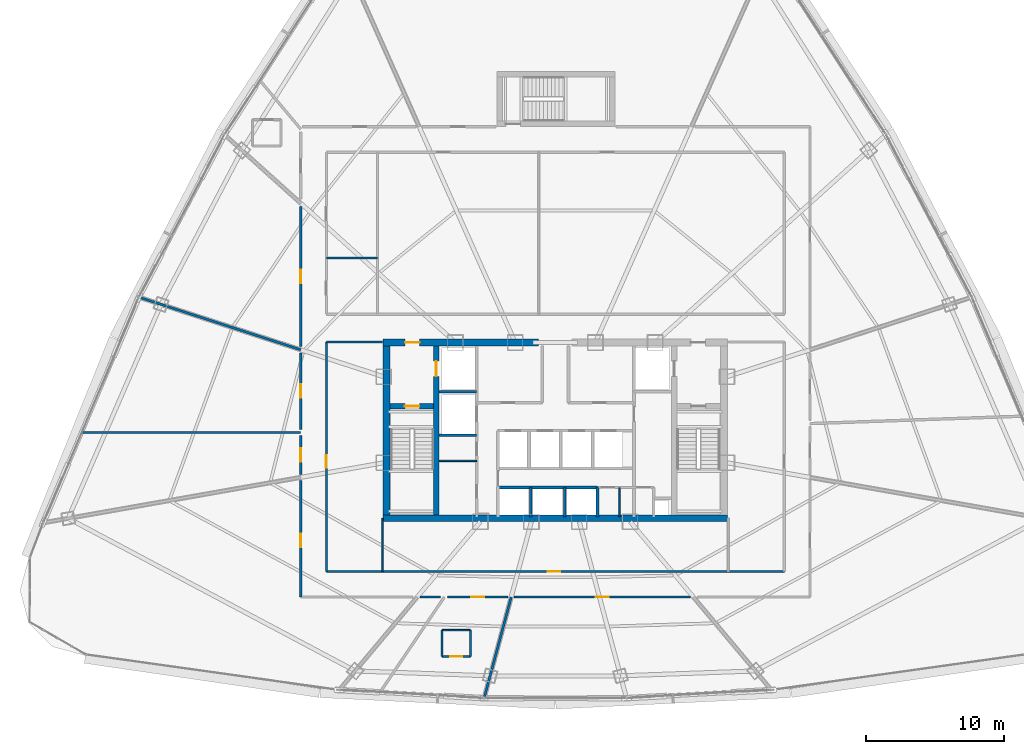
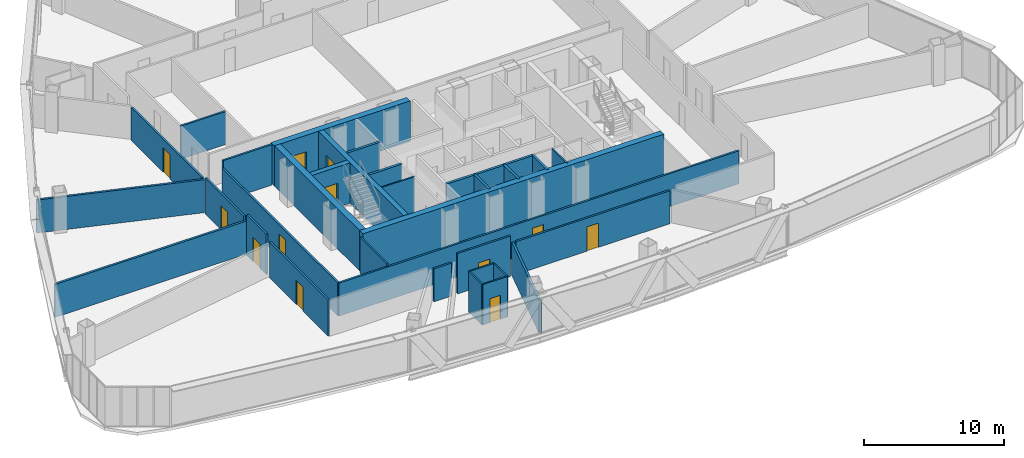
# One storey, part 31 of 38: 32 walls, 12 doors, 12 openings.
"""IFC4 building model written with IfcOpenShell, lengths in metres."""

from ifc_helpers import new_model, si_unit, direction, frame, frame_2d, origin, origin_with_axes, place, context, subcontext, project, spatial, rectangle, extrude, source, transform, mapped, material, layer, layer_set, type_object, element, fill, save


model = new_model("IFC4")

# Units and contexts
model_context = context("Model", 3, precision=1e-05, world=origin(), true_north=direction((0.0, 1.0)))
body_context = subcontext(model_context, "Body", "Model", "MODEL_VIEW")
ifc_project = project(units=[si_unit("LENGTHUNIT", "METRE"), si_unit("AREAUNIT", "SQUARE_METRE"), si_unit("VOLUMEUNIT", "CUBIC_METRE"), si_unit("PLANEANGLEUNIT", "RADIAN"), si_unit("MASSUNIT", "GRAM", prefix="KILO"), si_unit("THERMODYNAMICTEMPERATUREUNIT", "KELVIN"), si_unit("POWERUNIT", "WATT")], contexts=[model_context])

# Site, building, storey
site_placement = place(None, origin())
site = spatial("IfcSite", under=ifc_project, at=site_placement, CompositionType="ELEMENT")
building_placement = place(site_placement, origin())
building = spatial("IfcBuilding", under=site, at=building_placement, Name="Yunzhuo Pagoda Commons", CompositionType="ELEMENT")
storey_placement = place(building_placement, frame((0.0, 0.0, 203.760009765625)))
storey = spatial("IfcBuildingStorey", under=building, at=storey_placement, Name="L51", CompositionType="ELEMENT", Elevation=203.760009765625)

# Wall
ifc_material_1 = material(Name="Concrete C50", Category="concrete")
ifc_layer_1 = layer(ifc_material_1, 0.5)
ifc_layer_set_1 = layer_set([ifc_layer_1], Name="Concrete C50")
wall_type_1 = type_object("IfcWallType", Name="W-C03 Upper Core Shear Wall 500", PredefinedType="SHEAR", material=ifc_layer_set_1)
wall_1_placement = place(storey_placement, frame((35.550048828125, 27.5, 0.0), z_axis=(0.0, 0.0, 1.0), x_axis=(1.0, 0.0, 0.0)))
element("IfcWall", 1, at=wall_1_placement, inside=storey, type_object=wall_type_1, Name="L51 core shear wall S", PredefinedType="SHEAR", context=body_context, shape_type="SweptSolid", body=[
    extrude(rectangle(XDim=24.89990234375, YDim=0.5, at=frame_2d((12.449951171875, 0.0))), origin(), (0.0, 0.0, 1.0), 3.5400390625),
])

# Wall, opening, door
wall_2_placement = place(storey_placement, frame((35.550048828125, 40.199951171875, 0.0), z_axis=(0.0, 0.0, 1.0), x_axis=(1.0, 0.0, 0.0)))
wall_2 = element("IfcWall", 2, at=wall_2_placement, inside=storey, type_object=wall_type_1, Name="L51 core shear wall NW", PredefinedType="SHEAR", context=body_context, shape_type="SweptSolid", body=[
    extrude(rectangle(XDim=11.25, YDim=0.5, at=frame_2d((5.625, 0.0))), origin(), (0.0, 0.0, 1.0), 3.5400390625),
])
opening_1_placement = place(wall_2_placement, frame((1.60009765625, 0.0, 0.0)))
opening_1 = element("IfcOpeningElement", 3, at=opening_1_placement, cuts=wall_2, Name="Opening D-02", PredefinedType="OPENING", context=body_context, shape_type="SweptSolid", body=[
    extrude(rectangle(XDim=1.050048828125, YDim=2.10009765625, at=frame_2d((0.52490234375, 1.050048828125))), frame((0.0, 0.260009765625, 0.0), z_axis=(0.0, -1.0, 0.0), x_axis=(1.0, 0.0, 0.0)), (0.0, 0.0, 1.0), 0.52001953125),
])
ifc_material_2 = material(Name="Galvanized fire-resisting metal leaf")
door_type_1 = type_object("IfcDoorType", Name="D-02 Firefighting Lobby & Refuge Fire Door 1050x2100", OperationType="NOTDEFINED", PredefinedType="DOOR", material=ifc_material_2)
shared_shape_1 = source(origin(), body_context, "Body", "SweptSolid", [
    extrude(rectangle(XDim=1.050048828125, YDim=2.10009765625, at=frame_2d((0.52490234375, 1.050048828125))), frame((0.0, 0.02490234375, 0.0), z_axis=(0.0, -1.0, 0.0), x_axis=(1.0, 0.0, 0.0)), (0.0, 0.0, 1.0), 0.050048828125),
])
door_1_placement = place(opening_1_placement, frame((1.050048828125, 0.0, 0.0), z_axis=(0.0, 0.0, 1.0), x_axis=(-1.0, 0.0, 0.0)))
door_1 = element("IfcDoor", 4, at=door_1_placement, inside=storey, type_object=door_type_1, Name="L51 Firefighting Lobby 1 fire door", OperationType="SINGLE_SWING_LEFT", OverallHeight=2.10009765625, OverallWidth=1.050048828125, PredefinedType="DOOR", context=body_context, shape_type="MappedRepresentation", body=[
    mapped(shared_shape_1, transform((0.0, 0.0, 0.0), scale=1.0)),
])
fill(opening_1, door_1)

# Walls
wall_3_placement = place(storey_placement, frame((35.800048828125, 27.75, 0.0), z_axis=(0.0, 0.0, 1.0), x_axis=(0.0, 1.0, 0.0)))
element("IfcWall", 5, at=wall_3_placement, inside=storey, type_object=wall_type_1, Name="L51 core shear wall W", PredefinedType="SHEAR", context=body_context, shape_type="SweptSolid", body=[
    extrude(rectangle(XDim=12.199951171875, YDim=0.5, at=frame_2d((6.10009765625, 0.0))), origin(), (0.0, 0.0, 1.0), 3.5400390625),
])
ifc_material_3 = material(Name="Gypsum plasterboard on acoustic stud")
ifc_layer_2 = layer(ifc_material_3, 0.155029296875)
ifc_layer_set_2 = layer_set([ifc_layer_2], Name="Gypsum plasterboard on acoustic stud")
wall_type_2 = type_object("IfcWallType", Name="W-COR2 Mid-Zone Rated Corridor Wall 155", PredefinedType="PARTITIONING", material=ifc_layer_set_2)
wall_4_placement = place(storey_placement, frame((31.449951171875, 46.300048828125, 0.0), z_axis=(0.0, 0.0, 1.0), x_axis=(1.0, 0.0, 0.0)))
element("IfcWall", 6, at=wall_4_placement, inside=storey, type_object=wall_type_2, Name="L51 interior wall IW-L51-MCWCN", PredefinedType="PARTITIONING", context=body_context, shape_type="SweptSolid", body=[
    extrude(rectangle(XDim=3.699951171875, YDim=0.155029296875, at=frame_2d((1.85009765625, 0.0))), origin(), (0.0, 0.0, 1.0), 2.889892578125),
])

# Wall, opening, door
wall_5_placement = place(storey_placement, frame((31.449951171875, 23.64990234375, 0.0), z_axis=(0.0, 0.0, 1.0), x_axis=(0.0, 1.0, 0.0)))
wall_5 = element("IfcWall", 7, at=wall_5_placement, inside=storey, type_object=wall_type_2, Name="L51 interior wall IW-L51-SFLW", PredefinedType="PARTITIONING", context=body_context, shape_type="SweptSolid", body=[
    extrude(rectangle(XDim=16.60009765625, YDim=0.155029296875, at=frame_2d((8.300048828125, 0.0))), origin(), (0.0, 0.0, 1.0), 2.889892578125),
])
opening_2_placement = place(wall_5_placement, frame((7.5, 0.0, 0.0)))
opening_2 = element("IfcOpeningElement", 8, at=opening_2_placement, cuts=wall_5, Name="Opening D-12", PredefinedType="OPENING", context=body_context, shape_type="SweptSolid", body=[
    extrude(rectangle(XDim=0.89990234375, YDim=2.080078125, at=frame_2d((0.449951171875, 1.0400390625))), frame((0.0, 0.08740234375, 0.0), z_axis=(0.0, -1.0, 0.0), x_axis=(1.0, 0.0, 0.0)), (0.0, 0.0, 1.0), 0.175048828125),
])
ifc_material_4 = material(Name="Powder-coated aluminium and timber acoustic leaf", Category="wood")
door_type_2 = type_object("IfcDoorType", Name="D-12 Quiet Study Interior Door 900x2080", OperationType="NOTDEFINED", PredefinedType="DOOR", material=ifc_material_4)
shared_shape_2 = source(origin(), body_context, "Body", "SweptSolid", [
    extrude(rectangle(XDim=0.89990234375, YDim=2.080078125, at=frame_2d((0.449951171875, 1.0400390625))), frame((0.0, 0.02490234375, 0.0), z_axis=(0.0, -1.0, 0.0), x_axis=(1.0, 0.0, 0.0)), (0.0, 0.0, 1.0), 0.050048828125),
])
door_2_placement = place(opening_2_placement, origin_with_axes())
door_2 = element("IfcDoor", 9, at=door_2_placement, inside=storey, type_object=door_type_2, Name="L51 west study workroom door", OperationType="SINGLE_SWING_LEFT", OverallHeight=2.080078125, OverallWidth=0.89990234375, PredefinedType="DOOR", context=body_context, shape_type="MappedRepresentation", body=[
    mapped(shared_shape_2, transform((0.0, 0.0, 0.0), scale=1.0)),
])
fill(opening_2, door_2)

wall_6_placement = place(storey_placement, frame((31.449951171875, 23.64990234375, 0.0), z_axis=(0.0, 0.0, 1.0), x_axis=(1.0, 0.0, 0.0)))
wall_6 = element("IfcWall", 10, at=wall_6_placement, inside=storey, type_object=wall_type_2, Name="L51 interior wall IW-L51-SFLS", PredefinedType="PARTITIONING", context=body_context, shape_type="SweptSolid", body=[
    extrude(rectangle(XDim=33.10009765625, YDim=0.155029296875, at=frame_2d((16.550048828125, 0.0))), origin(), (0.0, 0.0, 1.0), 2.889892578125),
])
opening_3_placement = place(wall_6_placement, frame((16.0, 0.0, 0.0)))
opening_3 = element("IfcOpeningElement", 11, at=opening_3_placement, cuts=wall_6, Name="Opening D-04", PredefinedType="OPENING", context=body_context, shape_type="SweptSolid", body=[
    extrude(rectangle(XDim=0.919921875, YDim=2.10009765625, at=frame_2d((0.4599609375, 1.050048828125))), frame((0.0, 0.08740234375, 0.0), z_axis=(0.0, -1.0, 0.0), x_axis=(1.0, 0.0, 0.0)), (0.0, 0.0, 1.0), 0.175048828125),
])
door_type_3 = type_object("IfcDoorType", Name="D-04 Bedroom & Study Interior Door 920x2100", OperationType="NOTDEFINED", PredefinedType="DOOR", material=ifc_material_4)
shared_shape_3 = source(origin(), body_context, "Body", "SweptSolid", [
    extrude(rectangle(XDim=0.919921875, YDim=2.10009765625, at=frame_2d((0.4599609375, 1.050048828125))), frame((0.0, 0.02490234375, 0.0), z_axis=(0.0, -1.0, 0.0), x_axis=(1.0, 0.0, 0.0)), (0.0, 0.0, 1.0), 0.050048828125),
])
door_3_placement = place(opening_3_placement, frame((0.919921875, 0.0, 0.0), z_axis=(0.0, 0.0, 1.0), x_axis=(-1.0, 0.0, 0.0)))
door_3 = element("IfcDoor", 12, at=door_3_placement, inside=storey, type_object=door_type_3, Name="L51 south seminar room door", OperationType="SINGLE_SWING_RIGHT", OverallHeight=2.10009765625, OverallWidth=0.919921875, PredefinedType="DOOR", context=body_context, shape_type="MappedRepresentation", body=[
    mapped(shared_shape_3, transform((0.0, 0.0, 0.0), scale=1.0)),
])
fill(opening_3, door_3)

# Wall
wall_7_placement = place(storey_placement, frame((31.449951171875, 40.25, 0.0), z_axis=(0.0, 0.0, 1.0), x_axis=(1.0, 0.0, 0.0)))
element("IfcWall", 13, at=wall_7_placement, inside=storey, type_object=wall_type_2, Name="L51 interior wall IW-L51-SFLNW", PredefinedType="PARTITIONING", context=body_context, shape_type="SweptSolid", body=[
    extrude(rectangle(XDim=4.050048828125, YDim=0.155029296875, at=frame_2d((2.02490234375, 0.0))), origin(), (0.0, 0.0, 1.0), 3.5400390625),
])

# Wall, opening, door
wall_8_placement = place(storey_placement, frame((29.60009765625, 21.800048828125, 0.0), z_axis=(0.0, 0.0, 1.0), x_axis=(0.0, 1.0, 0.0)))
wall_8 = element("IfcWall", 14, at=wall_8_placement, inside=storey, type_object=wall_type_2, Name="L51 interior wall IW-L51-CWL01", PredefinedType="PARTITIONING", context=body_context, shape_type="SweptSolid", body=[
    extrude(rectangle(XDim=8.43212890625, YDim=0.155029296875, at=frame_2d((4.216064453125, 0.0))), origin(), (0.0, 0.0, 1.0), 3.139892578125),
])
opening_4_placement = place(wall_8_placement, frame((3.622802734375, 0.0, 0.0)))
opening_4 = element("IfcOpeningElement", 15, at=opening_4_placement, cuts=wall_8, Name="Opening D-07", PredefinedType="OPENING", context=body_context, shape_type="SweptSolid", body=[
    extrude(rectangle(XDim=0.9599609375, YDim=2.1201171875, at=frame_2d((0.47998046875, 1.06005859375))), frame((0.0, 0.08740234375, 0.0), z_axis=(0.0, -1.0, 0.0), x_axis=(1.0, 0.0, 0.0)), (0.0, 0.0, 1.0), 0.175048828125),
])
door_type_4 = type_object("IfcDoorType", Name="D-07 Mid-Zone Suite Entrance Fire Door 960x2120", OperationType="NOTDEFINED", PredefinedType="DOOR", material=ifc_material_2)
shared_shape_4 = source(origin(), body_context, "Body", "SweptSolid", [
    extrude(rectangle(XDim=0.9599609375, YDim=2.1201171875, at=frame_2d((0.47998046875, 1.06005859375))), frame((0.0, 0.02490234375, 0.0), z_axis=(0.0, -1.0, 0.0), x_axis=(1.0, 0.0, 0.0)), (0.0, 0.0, 1.0), 0.050048828125),
])
door_4_placement = place(opening_4_placement, origin_with_axes())
door_4 = element("IfcDoor", 16, at=door_4_placement, inside=storey, type_object=door_type_4, Name="L51 unit 09 entrance door", OperationType="SINGLE_SWING_LEFT", OverallHeight=2.1201171875, OverallWidth=0.9599609375, PredefinedType="DOOR", context=body_context, shape_type="MappedRepresentation", body=[
    mapped(shared_shape_4, transform((0.0, 0.0, 0.0), scale=1.0)),
])
fill(opening_4, door_4)

wall_9_placement = place(storey_placement, frame((29.60009765625, 30.67529296875, 0.0), z_axis=(0.0, 0.0, 1.0), x_axis=(0.0, 1.0, 0.0)))
wall_9 = element("IfcWall", 17, at=wall_9_placement, inside=storey, type_object=wall_type_2, Name="L51 interior wall IW-L51-CWL02", PredefinedType="PARTITIONING", context=body_context, shape_type="SweptSolid", body=[
    extrude(rectangle(XDim=2.8046875, YDim=0.155029296875, at=frame_2d((1.40234375, 0.0))), origin(), (0.0, 0.0, 1.0), 3.5400390625),
])
opening_5_placement = place(wall_9_placement, frame((0.927490234375, 0.0, 0.0)))
opening_5 = element("IfcOpeningElement", 18, at=opening_5_placement, cuts=wall_9, Name="Opening D-07", PredefinedType="OPENING", context=body_context, shape_type="SweptSolid", body=[
    extrude(rectangle(XDim=0.9599609375, YDim=2.1201171875, at=frame_2d((0.47998046875, 1.06005859375))), frame((0.0, 0.08740234375, 0.0), z_axis=(0.0, -1.0, 0.0), x_axis=(1.0, 0.0, 0.0)), (0.0, 0.0, 1.0), 0.175048828125),
])
door_5_placement = place(opening_5_placement, origin_with_axes())
door_5 = element("IfcDoor", 19, at=door_5_placement, inside=storey, type_object=door_type_4, Name="L51 unit 08 entrance door", OperationType="SINGLE_SWING_RIGHT", OverallHeight=2.1201171875, OverallWidth=0.9599609375, PredefinedType="DOOR", context=body_context, shape_type="MappedRepresentation", body=[
    mapped(shared_shape_4, transform((0.0, 0.0, 0.0), scale=1.0)),
])
fill(opening_5, door_5)

wall_10_placement = place(storey_placement, frame((29.60009765625, 33.919921875, 0.0), z_axis=(0.0, 0.0, 1.0), x_axis=(0.0, 1.0, 0.0)))
wall_10 = element("IfcWall", 20, at=wall_10_placement, inside=storey, type_object=wall_type_2, Name="L51 interior wall IW-L51-CWL03", PredefinedType="PARTITIONING", context=body_context, shape_type="SweptSolid", body=[
    extrude(rectangle(XDim=5.538818359375, YDim=0.155029296875, at=frame_2d((2.76953125, 0.0))), origin(), (0.0, 0.0, 1.0), 3.139892578125),
])
opening_6_placement = place(wall_10_placement, frame((2.294189453125, 0.0, 0.0)))
opening_6 = element("IfcOpeningElement", 21, at=opening_6_placement, cuts=wall_10, Name="Opening D-07", PredefinedType="OPENING", context=body_context, shape_type="SweptSolid", body=[
    extrude(rectangle(XDim=0.9599609375, YDim=2.1201171875, at=frame_2d((0.47998046875, 1.06005859375))), frame((0.0, 0.08740234375, 0.0), z_axis=(0.0, -1.0, 0.0), x_axis=(1.0, 0.0, 0.0)), (0.0, 0.0, 1.0), 0.175048828125),
])
door_6_placement = place(opening_6_placement, origin_with_axes())
door_6 = element("IfcDoor", 22, at=door_6_placement, inside=storey, type_object=door_type_4, Name="L51 unit 07 entrance door", OperationType="SINGLE_SWING_LEFT", OverallHeight=2.1201171875, OverallWidth=0.9599609375, PredefinedType="DOOR", context=body_context, shape_type="MappedRepresentation", body=[
    mapped(shared_shape_4, transform((0.0, 0.0, 0.0), scale=1.0)),
])
fill(opening_6, door_6)

wall_11_placement = place(storey_placement, frame((29.60009765625, 39.909912109375, 0.0), z_axis=(0.0, 0.0, 1.0), x_axis=(0.0, 1.0, 0.0)))
wall_11 = element("IfcWall", 23, at=wall_11_placement, inside=storey, type_object=wall_type_2, Name="L51 interior wall IW-L51-CWL04", PredefinedType="PARTITIONING", context=body_context, shape_type="SweptSolid", body=[
    extrude(rectangle(XDim=10.1376953125, YDim=0.155029296875, at=frame_2d((5.06884765625, 0.0))), origin(), (0.0, 0.0, 1.0), 2.889892578125),
])
opening_7_placement = place(wall_11_placement, frame((4.588134765625, 0.0, 0.0)))
opening_7 = element("IfcOpeningElement", 24, at=opening_7_placement, cuts=wall_11, Name="Opening D-07", PredefinedType="OPENING", context=body_context, shape_type="SweptSolid", body=[
    extrude(rectangle(XDim=0.9599609375, YDim=2.1201171875, at=frame_2d((0.47998046875, 1.06005859375))), frame((0.0, 0.08740234375, 0.0), z_axis=(0.0, -1.0, 0.0), x_axis=(1.0, 0.0, 0.0)), (0.0, 0.0, 1.0), 0.175048828125),
])
door_7_placement = place(opening_7_placement, origin_with_axes())
door_7 = element("IfcDoor", 25, at=door_7_placement, inside=storey, type_object=door_type_4, Name="L51 unit 06 entrance door", OperationType="SINGLE_SWING_RIGHT", OverallHeight=2.1201171875, OverallWidth=0.9599609375, PredefinedType="DOOR", context=body_context, shape_type="MappedRepresentation", body=[
    mapped(shared_shape_4, transform((0.0, 0.0, 0.0), scale=1.0)),
])
fill(opening_7, door_7)

wall_12_placement = place(storey_placement, frame((57.765380859375, 21.800048828125, 0.0), z_axis=(0.0, 0.0, 1.0), x_axis=(-1.0, 0.0, 0.0)))
wall_12 = element("IfcWall", 26, at=wall_12_placement, inside=storey, type_object=wall_type_2, Name="L51 interior wall IW-L51-CWL15", PredefinedType="PARTITIONING", context=body_context, shape_type="SweptSolid", body=[
    extrude(rectangle(XDim=12.734130859375, YDim=0.155029296875, at=frame_2d((6.3671875, 0.0))), origin(), (0.0, 0.0, 1.0), 2.889892578125),
])
opening_8_placement = place(wall_12_placement, frame((5.89208984375, 0.0, 0.0)))
opening_8 = element("IfcOpeningElement", 27, at=opening_8_placement, cuts=wall_12, Name="Opening D-07", PredefinedType="OPENING", context=body_context, shape_type="SweptSolid", body=[
    extrude(rectangle(XDim=0.9599609375, YDim=2.1201171875, at=frame_2d((0.47998046875, 1.06005859375))), frame((0.0, 0.08740234375, 0.0), z_axis=(0.0, -1.0, 0.0), x_axis=(1.0, 0.0, 0.0)), (0.0, 0.0, 1.0), 0.175048828125),
])
door_8_placement = place(opening_8_placement, origin_with_axes())
door_8 = element("IfcDoor", 28, at=door_8_placement, inside=storey, type_object=door_type_4, Name="L51 Resident Co-Living Commons Hall door", OperationType="SINGLE_SWING_RIGHT", OverallHeight=2.1201171875, OverallWidth=0.9599609375, PredefinedType="DOOR", context=body_context, shape_type="MappedRepresentation", body=[
    mapped(shared_shape_4, transform((0.0, 0.0, 0.0), scale=1.0)),
])
fill(opening_8, door_8)

wall_13_placement = place(storey_placement, frame((44.58349609375, 21.800048828125, 0.0), z_axis=(0.0, 0.0, 1.0), x_axis=(-1.0, 0.0, 0.0)))
wall_13 = element("IfcWall", 29, at=wall_13_placement, inside=storey, type_object=wall_type_2, Name="L51 interior wall IW-L51-CWL16", PredefinedType="PARTITIONING", context=body_context, shape_type="SweptSolid", body=[
    extrude(rectangle(XDim=4.39013671875, YDim=0.155029296875, at=frame_2d((2.195068359375, 0.0))), origin(), (0.0, 0.0, 1.0), 3.5400390625),
])
opening_9_placement = place(wall_13_placement, frame((1.71630859375, 0.0, 0.0)))
opening_9 = element("IfcOpeningElement", 30, at=opening_9_placement, cuts=wall_13, Name="Opening D-07", PredefinedType="OPENING", context=body_context, shape_type="SweptSolid", body=[
    extrude(rectangle(XDim=0.9599609375, YDim=2.1201171875, at=frame_2d((0.47998046875, 1.06005859375))), frame((0.0, 0.08740234375, 0.0), z_axis=(0.0, -1.0, 0.0), x_axis=(1.0, 0.0, 0.0)), (0.0, 0.0, 1.0), 0.175048828125),
])
door_9_placement = place(opening_9_placement, origin_with_axes())
door_9 = element("IfcDoor", 31, at=door_9_placement, inside=storey, type_object=door_type_4, Name="L51 unit 11 entrance door", OperationType="SINGLE_SWING_LEFT", OverallHeight=2.1201171875, OverallWidth=0.9599609375, PredefinedType="DOOR", context=body_context, shape_type="MappedRepresentation", body=[
    mapped(shared_shape_4, transform((0.0, 0.0, 0.0), scale=1.0)),
])
fill(opening_9, door_9)

# Walls
wall_14_placement = place(storey_placement, frame((39.7080078125, 21.800048828125, 0.0), z_axis=(0.0, 0.0, 1.0), x_axis=(-1.0, 0.0, 0.0)))
element("IfcWall", 32, at=wall_14_placement, inside=storey, type_object=wall_type_2, Name="L51 interior wall IW-L51-CWL17", PredefinedType="PARTITIONING", context=body_context, shape_type="SweptSolid", body=[
    extrude(rectangle(XDim=1.473388671875, YDim=0.155029296875, at=frame_2d((0.73681640625, 0.0))), origin(), (0.0, 0.0, 1.0), 2.889892578125),
])
ifc_layer_3 = layer(ifc_material_3, 0.1201171875)
ifc_layer_set_3 = layer_set([ifc_layer_3], Name="Gypsum plasterboard on acoustic stud")
wall_type_3 = type_object("IfcWallType", Name="W-PRT1 Suite & Bathroom Partition 120", PredefinedType="PARTITIONING", material=ifc_layer_set_3)
wall_15_placement = place(storey_placement, frame((39.60009765625, 31.64990234375, 0.0), z_axis=(0.0, 0.0, 1.0), x_axis=(1.0, 0.0, 0.0)))
element("IfcWall", 33, at=wall_15_placement, inside=storey, type_object=wall_type_3, Name="L51 interior wall IW-L51-CD1", PredefinedType="PARTITIONING", context=body_context, shape_type="SweptSolid", body=[
    extrude(rectangle(XDim=2.719970703125, YDim=0.1201171875, at=frame_2d((1.35986328125, 0.0))), origin(), (0.0, 0.0, 1.0), 3.5400390625),
])
wall_16_placement = place(storey_placement, frame((52.64990234375, 27.60009765625, 0.0), z_axis=(0.0, 0.0, 1.0), x_axis=(0.0, 1.0, 0.0)))
element("IfcWall", 34, at=wall_16_placement, inside=storey, type_object=wall_type_3, Name="L51 interior wall IW-L51-CD2", PredefinedType="PARTITIONING", context=body_context, shape_type="SweptSolid", body=[
    extrude(rectangle(XDim=2.119873046875, YDim=0.1201171875, at=frame_2d((1.06005859375, 0.0))), origin(), (0.0, 0.0, 1.0), 3.5400390625),
])
wall_17_placement = place(storey_placement, frame((35.5, 23.64990234375, 0.0), z_axis=(0.0, 0.0, 1.0), x_axis=(0.0, 1.0, 0.0)))
element("IfcWall", 35, at=wall_17_placement, inside=storey, type_object=wall_type_3, Name="L51 interior wall IW-L51-SFLD1", PredefinedType="PARTITIONING", context=body_context, shape_type="SweptSolid", body=[
    extrude(rectangle(XDim=3.85009765625, YDim=0.1201171875, at=frame_2d((1.925048828125, 0.0))), origin(), (0.0, 0.0, 1.0), 3.139892578125),
])

# Wall, opening, door
wall_18_placement = place(storey_placement, frame((39.81494140625, 17.512939453125, 0.0), z_axis=(0.0, 0.0, 1.0), x_axis=(1.0, 0.0, 0.0)))
wall_18 = element("IfcWall", 36, at=wall_18_placement, inside=storey, type_object=wall_type_3, Name="L51 interior wall IW-L51-B11S", PredefinedType="PARTITIONING", context=body_context, shape_type="SweptSolid", body=[
    extrude(rectangle(XDim=2.050048828125, YDim=0.1201171875, at=frame_2d((1.02490234375, 0.0))), origin(), (0.0, 0.0, 1.0), 3.5400390625),
])
opening_10_placement = place(wall_18_placement, frame((0.60009765625, 0.0, 0.0)))
opening_10 = element("IfcOpeningElement", 37, at=opening_10_placement, cuts=wall_18, Name="Opening D-05", PredefinedType="OPENING", context=body_context, shape_type="SweptSolid", body=[
    extrude(rectangle(XDim=0.85009765625, YDim=2.10009765625, at=frame_2d((0.425048828125, 1.050048828125))), frame((0.0, 0.070068359375, 0.0), z_axis=(0.0, -1.0, 0.0), x_axis=(1.0, 0.0, 0.0)), (0.0, 0.0, 1.0), 0.14013671875),
])
door_type_5 = type_object("IfcDoorType", Name="D-05 En-Suite Bathroom Door 850x2100", OperationType="NOTDEFINED", PredefinedType="DOOR", material=ifc_material_4)
shared_shape_5 = source(origin(), body_context, "Body", "SweptSolid", [
    extrude(rectangle(XDim=0.85009765625, YDim=2.10009765625, at=frame_2d((0.425048828125, 1.050048828125))), frame((0.0, 0.02490234375, 0.0), z_axis=(0.0, -1.0, 0.0), x_axis=(1.0, 0.0, 0.0)), (0.0, 0.0, 1.0), 0.050048828125),
])
door_10_placement = place(opening_10_placement, frame((0.85009765625, 0.0, 0.0), z_axis=(0.0, 0.0, 1.0), x_axis=(-1.0, 0.0, 0.0)))
door_10 = element("IfcDoor", 38, at=door_10_placement, inside=storey, type_object=door_type_5, Name="L51 unit 11 bathroom door", OperationType="SINGLE_SWING_LEFT", OverallHeight=2.10009765625, OverallWidth=0.85009765625, PredefinedType="DOOR", context=body_context, shape_type="MappedRepresentation", body=[
    mapped(shared_shape_5, transform((0.0, 0.0, 0.0), scale=1.0)),
])
fill(opening_10, door_10)

# Walls
wall_19_placement = place(storey_placement, frame((41.864990234375, 17.512939453125, 0.0), z_axis=(0.0, 0.0, 1.0), x_axis=(0.0, 1.0, 0.0)))
element("IfcWall", 39, at=wall_19_placement, inside=storey, type_object=wall_type_3, Name="L51 interior wall IW-L51-B11E", PredefinedType="PARTITIONING", context=body_context, shape_type="SweptSolid", body=[
    extrude(rectangle(XDim=1.900146484375, YDim=0.1201171875, at=frame_2d((0.9501953125, 0.0))), origin(), (0.0, 0.0, 1.0), 3.5400390625),
])
wall_20_placement = place(storey_placement, frame((41.864990234375, 19.4130859375, 0.0), z_axis=(0.0, 0.0, 1.0), x_axis=(-1.0, 0.0, 0.0)))
element("IfcWall", 40, at=wall_20_placement, inside=storey, type_object=wall_type_3, Name="L51 interior wall IW-L51-B11N", PredefinedType="PARTITIONING", context=body_context, shape_type="SweptSolid", body=[
    extrude(rectangle(XDim=2.050048828125, YDim=0.1201171875, at=frame_2d((1.02490234375, 0.0))), origin(), (0.0, 0.0, 1.0), 3.5400390625),
])
wall_21_placement = place(storey_placement, frame((39.81494140625, 19.4130859375, 0.0), z_axis=(0.0, 0.0, 1.0), x_axis=(0.0, -1.0, 0.0)))
element("IfcWall", 41, at=wall_21_placement, inside=storey, type_object=wall_type_3, Name="L51 interior wall IW-L51-B11W", PredefinedType="PARTITIONING", context=body_context, shape_type="SweptSolid", body=[
    extrude(rectangle(XDim=1.900146484375, YDim=0.1201171875, at=frame_2d((0.9501953125, 0.0))), origin(), (0.0, 0.0, 1.0), 3.5400390625),
])
ifc_layer_4 = layer(ifc_material_3, 0.175048828125)
ifc_layer_set_4 = layer_set([ifc_layer_4], Name="Gypsum plasterboard on acoustic stud")
wall_type_4 = type_object("IfcWallType", Name="W-PRT3 Mid-Zone Demising Wall 175", PredefinedType="PARTITIONING", material=ifc_layer_set_4)
wall_22_placement = place(storey_placement, frame((29.60009765625, 39.678466796875, 0.0), z_axis=(0.0, 0.0, 1.0), x_axis=(-0.951057676857, 0.309013422511, 0.0)))
element("IfcWall", 42, at=wall_22_placement, inside=storey, type_object=wall_type_4, Name="L51 interior wall IW-L51-RAD07", PredefinedType="PARTITIONING", context=body_context, shape_type="SweptSolid", body=[
    extrude(rectangle(XDim=12.31005859375, YDim=0.175048828125, at=frame_2d((6.155029296875, 0.0))), origin(), (0.0, 0.0, 1.0), 2.889892578125),
])
wall_23_placement = place(storey_placement, frame((29.60009765625, 33.699951171875, 0.0), z_axis=(0.0, 0.0, 1.0), x_axis=(-1.0, 0.0, 0.0)))
element("IfcWall", 43, at=wall_23_placement, inside=storey, type_object=wall_type_4, Name="L51 interior wall IW-L51-RAD08", PredefinedType="PARTITIONING", context=body_context, shape_type="SweptSolid", body=[
    extrude(rectangle(XDim=15.8505859375, YDim=0.175048828125, at=frame_2d((7.92529296875, 0.0))), origin(), (0.0, 0.0, 1.0), 2.889892578125),
])
wall_24_placement = place(storey_placement, frame((44.811279296875, 21.800048828125, 0.0), z_axis=(0.0, 0.0, 1.0), x_axis=(-0.25880602585, -0.965929314693, 0.0)))
element("IfcWall", 44, at=wall_24_placement, inside=storey, type_object=wall_type_4, Name="L51 interior wall IW-L51-RAD12", PredefinedType="PARTITIONING", context=body_context, shape_type="SweptSolid", body=[
    extrude(rectangle(XDim=7.560791015625, YDim=0.175048828125, at=frame_2d((3.7802734375, 0.0))), origin(), (0.0, 0.0, 1.0), 2.889892578125),
])

# Wall, opening, door
ifc_material_5 = material(Name="Concrete C60", Category="concrete")
ifc_layer_5 = layer(ifc_material_5, 0.39990234375)
ifc_layer_set_5 = layer_set([ifc_layer_5], Name="Concrete C60")
wall_type_5 = type_object("IfcWallType", Name="W-S01 Internal Core Shear Web 400", PredefinedType="SHEAR", material=ifc_layer_set_5)
wall_25_placement = place(storey_placement, frame((39.39990234375, 27.75, 0.0), z_axis=(0.0, 0.0, 1.0), x_axis=(0.0, 1.0, 0.0)))
wall_25 = element("IfcWall", 45, at=wall_25_placement, inside=storey, type_object=wall_type_5, Name="L51 core shear wall WEBW", PredefinedType="SHEAR", context=body_context, shape_type="SweptSolid", body=[
    extrude(rectangle(XDim=12.199951171875, YDim=0.39990234375, at=frame_2d((6.10009765625, 0.0))), origin(), (0.0, 0.0, 1.0), 3.5400390625),
])
opening_11_placement = place(wall_25_placement, frame((10.0, 0.0, 0.0)))
opening_11 = element("IfcOpeningElement", 46, at=opening_11_placement, cuts=wall_25, Name="Opening LD-01", PredefinedType="OPENING", context=body_context, shape_type="SweptSolid", body=[
    extrude(rectangle(XDim=1.10009765625, YDim=2.10009765625, at=frame_2d((0.550048828125, 1.050048828125))), frame((0.0, 0.2099609375, 0.0), z_axis=(0.0, -1.0, 0.0), x_axis=(1.0, 0.0, 0.0)), (0.0, 0.0, 1.0), 0.419921875),
])
door_type_6 = type_object("IfcDoorType", Name="LD-01 Firefighting Lift Landing Door 1100x2100", OperationType="DOUBLE_DOOR_SLIDING", PredefinedType="DOOR", material=ifc_material_2)
shared_shape_6 = source(origin(), body_context, "Body", "SweptSolid", [
    extrude(rectangle(XDim=1.10009765625, YDim=2.10009765625, at=frame_2d((0.550048828125, 1.050048828125))), frame((0.0, 0.02490234375, 0.0), z_axis=(0.0, -1.0, 0.0), x_axis=(1.0, 0.0, 0.0)), (0.0, 0.0, 1.0), 0.050048828125),
])
door_11_placement = place(opening_11_placement, frame((1.10009765625, 0.0, 0.0), z_axis=(0.0, 0.0, 1.0), x_axis=(-1.0, 0.0, 0.0)))
door_11 = element("IfcDoor", 47, at=door_11_placement, inside=storey, type_object=door_type_6, Name="L51 Firefighting lift FL-1 landing door", OperationType="DOUBLE_DOOR_SLIDING", OverallHeight=2.10009765625, OverallWidth=1.10009765625, PredefinedType="DOOR", context=body_context, shape_type="MappedRepresentation", body=[
    mapped(shared_shape_6, transform((0.0, 0.0, 0.0), scale=1.0)),
])
fill(opening_11, door_11)

wall_26_placement = place(storey_placement, frame((36.050048828125, 35.60009765625, 0.0), z_axis=(0.0, 0.0, 1.0), x_axis=(1.0, 0.0, 0.0)))
wall_26 = element("IfcWall", 48, at=wall_26_placement, inside=storey, type_object=wall_type_5, Name="L51 core shear wall STW", PredefinedType="SHEAR", context=body_context, shape_type="SweptSolid", body=[
    extrude(rectangle(XDim=3.14990234375, YDim=0.39990234375, at=frame_2d((1.574951171875, 0.0))), origin(), (0.0, 0.0, 1.0), 3.5400390625),
])
opening_12_placement = place(wall_26_placement, frame((1.070068359375, 0.0, 0.0)))
opening_12 = element("IfcOpeningElement", 49, at=opening_12_placement, cuts=wall_26, Name="Opening D-01", PredefinedType="OPENING", context=body_context, shape_type="SweptSolid", body=[
    extrude(rectangle(XDim=1.050048828125, YDim=2.10009765625, at=frame_2d((0.52490234375, 1.050048828125))), frame((0.0, 0.2099609375, 0.0), z_axis=(0.0, -1.0, 0.0), x_axis=(1.0, 0.0, 0.0)), (0.0, 0.0, 1.0), 0.419921875),
])
door_type_7 = type_object("IfcDoorType", Name="D-01 Smokeproof Stair Fire Door 1050x2100", OperationType="NOTDEFINED", PredefinedType="DOOR", material=ifc_material_2)
door_12_placement = place(opening_12_placement, frame((1.050048828125, 0.0, 0.0), z_axis=(0.0, 0.0, 1.0), x_axis=(-1.0, 0.0, 0.0)))
door_12 = element("IfcDoor", 50, at=door_12_placement, inside=storey, type_object=door_type_7, Name="L51 Stair ST1 fire door", OperationType="SINGLE_SWING_LEFT", OverallHeight=2.10009765625, OverallWidth=1.050048828125, PredefinedType="DOOR", context=body_context, shape_type="MappedRepresentation", body=[
    mapped(shared_shape_1, transform((0.0, 0.0, 0.0), scale=1.0)),
])
fill(opening_12, door_12)

# Walls
ifc_material_6 = material(Name="Concrete C40", Category="concrete")
ifc_layer_6 = layer(ifc_material_6, 0.199951171875)
ifc_layer_set_6 = layer_set([ifc_layer_6], Name="Concrete C40")
wall_type_6 = type_object("IfcWallType", Name="W-SHF Shaft & Stair Enclosure Wall 200", PredefinedType="SOLIDWALL", material=ifc_layer_set_6)
for number, where, z_axis, x_axis, name in (
    (51, (39.60009765625, 36.64990234375, 0.0), (0.0, 0.0, 1.0), (1.0, 0.0, 0.0), "L51 interior wall IW-L51-FL1S"),
    (52, (39.60009765625, 33.5, 0.0), (0.0, 0.0, 1.0), (1.0, 0.0, 0.0), "L51 interior wall IW-L51-SL1S"),
):
    element("IfcWall", number, at=place(storey_placement, frame(where, z_axis=z_axis, x_axis=x_axis)), inside=storey, type_object=wall_type_6, Name=name, PredefinedType="SOLIDWALL", context=body_context, shape_type="SweptSolid", body=[
        extrude(rectangle(XDim=2.719970703125, YDim=0.199951171875, at=frame_2d((1.35986328125, 0.0))), origin(), (0.0, 0.0, 1.0), 3.5400390625),
    ])
wall_27_placement = place(storey_placement, frame((43.85009765625, 29.719970703125, 0.0), z_axis=(0.0, 0.0, 1.0), x_axis=(1.0, 0.0, 0.0)))
element("IfcWall", 53, at=wall_27_placement, inside=storey, type_object=wall_type_6, Name="L51 interior wall IW-L51-PLHN", PredefinedType="SOLIDWALL", context=body_context, shape_type="SweptSolid", body=[
    extrude(rectangle(XDim=7.199951171875, YDim=0.199951171875, at=frame_2d((3.60009765625, 0.0))), origin(), (0.0, 0.0, 1.0), 3.5400390625),
])
for number, where, z_axis, x_axis, name in (
    (54, (51.050048828125, 27.60009765625, 0.0), (0.0, 0.0, 1.0), (0.0, 1.0, 0.0), "L51 interior wall IW-L51-PLHE"),
    (55, (46.22509765625, 27.60009765625, 0.0), (0.0, 0.0, 1.0), (0.0, 1.0, 0.0), "L51 interior wall IW-L51-PLHD1"),
    (56, (48.675048828125, 27.60009765625, 0.0), (0.0, 0.0, 1.0), (0.0, 1.0, 0.0), "L51 interior wall IW-L51-PLHD2"),
):
    element("IfcWall", number, at=place(storey_placement, frame(where, z_axis=z_axis, x_axis=x_axis)), inside=storey, type_object=wall_type_6, Name=name, PredefinedType="SOLIDWALL", context=body_context, shape_type="SweptSolid", body=[
        extrude(rectangle(XDim=2.119873046875, YDim=0.199951171875, at=frame_2d((1.06005859375, 0.0))), origin(), (0.0, 0.0, 1.0), 3.5400390625),
    ])

save(model, "model.ifc")
